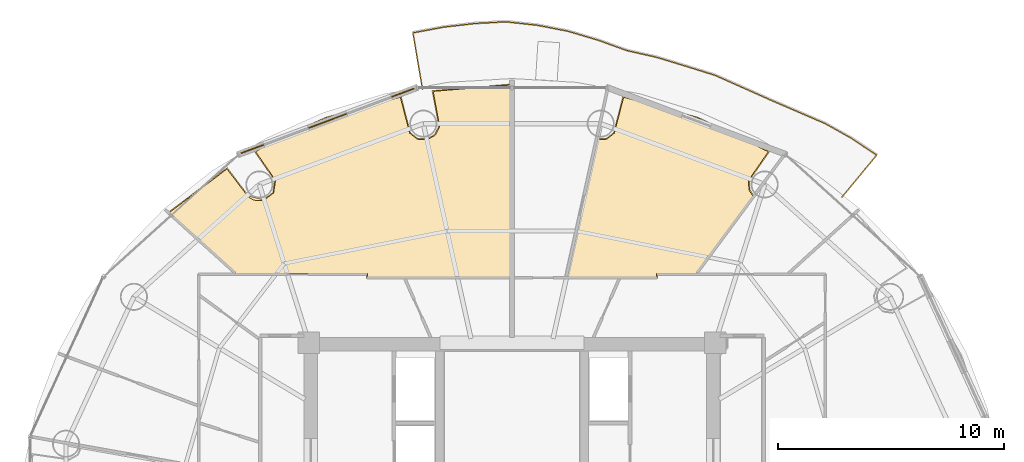
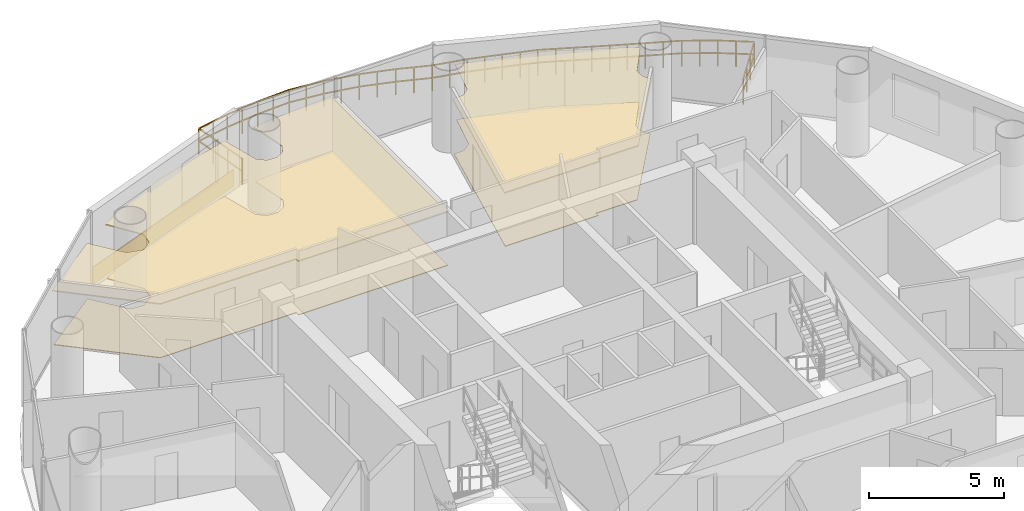
# One storey, part 27 of 27: 5 coverings, 1 railing.
"""IFC4 building model written with IfcOpenShell, lengths in metres."""

from ifc_helpers import new_model, si_unit, direction, frame, origin, origin_2d, place, context, subcontext, project, spatial, polyline, rectangle, outline, extrude, source, transform, mapped, material, layer, layer_set, type_object, element, save


model = new_model("IFC4")

# Units and contexts
model_context = context("Model", 3, precision=1e-05, world=origin(), true_north=direction((-0.2419218956, 0.970295726276)))
body_context = subcontext(model_context, "Body", "Model", "MODEL_VIEW")
ifc_project = project(units=[si_unit("LENGTHUNIT", "METRE"), si_unit("AREAUNIT", "SQUARE_METRE"), si_unit("VOLUMEUNIT", "CUBIC_METRE"), si_unit("PLANEANGLEUNIT", "RADIAN"), si_unit("MASSUNIT", "GRAM", prefix="KILO")], contexts=[model_context])

# Site, building, storey
site_placement = place(None, origin())
site = spatial("IfcSite", under=ifc_project, at=site_placement, CompositionType="ELEMENT")
building_placement = place(site_placement, origin())
building = spatial("IfcBuilding", under=site, at=building_placement, Name="Cobrevalo Terracotta Tower", CompositionType="ELEMENT")
storey_placement = place(building_placement, frame((0.0, 0.0, 198.60009765625)))
storey = spatial("IfcBuildingStorey", under=building, at=storey_placement, Name="L52", CompositionType="ELEMENT", Elevation=198.60009765625)

# Railing
ifc_material_1 = material(Name="Laminated structural glass and stainless steel", Category="steel")
railing_type = type_object("IfcRailingType", Name="Balcony lobe structural glass & terracotta-cap balustrade 1180 mm", PredefinedType="BALUSTRADE", material=ifc_material_1)
railing_placement = place(storey_placement, frame((52.6220703125, 41.244140625, 0.0)))
element("IfcRailing", 1, at=railing_placement, inside=storey, type_object=railing_type, Name="L52 spiralling balcony lobe balustrade 1", PredefinedType="BALUSTRADE", context=body_context, shape_type="SweptSolid", body=[
    extrude(rectangle(XDim=0.048095703125, YDim=0.048095703125, at=origin_2d()), frame((0.0, 0.0, 1.15576171875), z_axis=(0.637333692167, 0.770587934521, 0.0), x_axis=(-0.770587934521, 0.637333692167, 0.0)), (0.0, 0.0, 1.0), 2.412841796875),
    extrude(rectangle(XDim=0.048095703125, YDim=0.048095703125, at=origin_2d()), frame((0.0, 0.0, 0.58984375), z_axis=(0.637333692167, 0.770587934521, 0.0), x_axis=(-0.770587934521, 0.637333692167, 0.0)), (0.0, 0.0, 1.0), 2.412841796875),
    extrude(rectangle(XDim=0.048095703125, YDim=0.048095703125, at=origin_2d()), frame((1.537841796875, 1.859375, 1.15576171875), z_axis=(-0.830815450903, 0.556548009197, 0.0), x_axis=(-0.556548009197, -0.830815450903, 0.0)), (0.0, 0.0, 1.0), 1.340576171875),
    extrude(rectangle(XDim=0.048095703125, YDim=0.048095703125, at=origin_2d()), frame((1.537841796875, 1.859375, 0.58984375), z_axis=(-0.830815450903, 0.556548009197, 0.0), x_axis=(-0.556548009197, -0.830815450903, 0.0)), (0.0, 0.0, 1.0), 1.340576171875),
    extrude(rectangle(XDim=0.048095703125, YDim=0.048095703125, at=origin_2d()), frame((0.424072265625, 2.60546875, 1.15576171875), z_axis=(-0.87194013131, 0.489612507408, 0.0), x_axis=(-0.489612507408, -0.87194013131, 0.0)), (0.0, 0.0, 1.0), 1.34033203125),
    extrude(rectangle(XDim=0.048095703125, YDim=0.048095703125, at=origin_2d()), frame((0.424072265625, 2.60546875, 0.58984375), z_axis=(-0.87194013131, 0.489612507408, 0.0), x_axis=(-0.489612507408, -0.87194013131, 0.0)), (0.0, 0.0, 1.0), 1.34033203125),
    extrude(rectangle(XDim=0.048095703125, YDim=0.048095703125, at=origin_2d()), frame((-0.74462890625, 3.26171875, 1.15576171875), z_axis=(-0.918215087413, 0.396082129422, 0.0), x_axis=(-0.396082129422, -0.918215087413, 0.0)), (0.0, 0.0, 1.0), 1.34814453125),
    extrude(rectangle(XDim=0.048095703125, YDim=0.048095703125, at=origin_2d()), frame((-0.74462890625, 3.26171875, 0.58984375), z_axis=(-0.918215087413, 0.396082129422, 0.0), x_axis=(-0.396082129422, -0.918215087413, 0.0)), (0.0, 0.0, 1.0), 1.34814453125),
    extrude(rectangle(XDim=0.048095703125, YDim=0.048095703125, at=origin_2d()), frame((-1.982421875, 3.795654296875, 1.15576171875), z_axis=(-0.918441329501, 0.395557232602, 0.0), x_axis=(-0.395557232602, -0.918441329501, 0.0)), (0.0, 0.0, 1.0), 1.330810546875),
    extrude(rectangle(XDim=0.048095703125, YDim=0.048095703125, at=origin_2d()), frame((-1.982421875, 3.795654296875, 0.58984375), z_axis=(-0.918441329501, 0.395557232602, 0.0), x_axis=(-0.395557232602, -0.918441329501, 0.0)), (0.0, 0.0, 1.0), 1.330810546875),
    extrude(rectangle(XDim=0.048095703125, YDim=0.048095703125, at=origin_2d()), frame((-3.20458984375, 4.322021484375, 1.15576171875), z_axis=(-0.912864960477, 0.408261636618, 0.0), x_axis=(-0.408261636618, -0.912864960477, 0.0)), (0.0, 0.0, 1.0), 1.3330078125),
    extrude(rectangle(XDim=0.048095703125, YDim=0.048095703125, at=origin_2d()), frame((-3.20458984375, 4.322021484375, 0.58984375), z_axis=(-0.912864960477, 0.408261636618, 0.0), x_axis=(-0.408261636618, -0.912864960477, 0.0)), (0.0, 0.0, 1.0), 1.3330078125),
    extrude(rectangle(XDim=0.048095703125, YDim=0.048095703125, at=origin_2d()), frame((-4.42138671875, 4.8662109375, 1.15576171875), z_axis=(-0.914513167313, 0.40455613555, 0.0), x_axis=(-0.40455613555, -0.914513167313, 0.0)), (0.0, 0.0, 1.0), 1.331787109375),
    extrude(rectangle(XDim=0.048095703125, YDim=0.048095703125, at=origin_2d()), frame((-4.42138671875, 4.8662109375, 0.58984375), z_axis=(-0.914513167313, 0.40455613555, 0.0), x_axis=(-0.40455613555, -0.914513167313, 0.0)), (0.0, 0.0, 1.0), 1.331787109375),
    extrude(rectangle(XDim=0.048095703125, YDim=0.048095703125, at=origin_2d()), frame((-5.639404296875, 5.405029296875, 1.15576171875), z_axis=(-0.95469026063, 0.29760125379, 0.0), x_axis=(-0.29760125379, -0.95469026063, 0.0)), (0.0, 0.0, 1.0), 1.34130859375),
    extrude(rectangle(XDim=0.048095703125, YDim=0.048095703125, at=origin_2d()), frame((-5.639404296875, 5.405029296875, 0.58984375), z_axis=(-0.95469026063, 0.29760125379, 0.0), x_axis=(-0.29760125379, -0.95469026063, 0.0)), (0.0, 0.0, 1.0), 1.34130859375),
    extrude(rectangle(XDim=0.048095703125, YDim=0.048095703125, at=origin_2d()), frame((-6.919921875, 5.80419921875, 1.15576171875), z_axis=(-0.95643771544, 0.29193645967, 0.0), x_axis=(-0.29193645967, -0.95643771544, 0.0)), (0.0, 0.0, 1.0), 1.34130859375),
    extrude(rectangle(XDim=0.048095703125, YDim=0.048095703125, at=origin_2d()), frame((-6.919921875, 5.80419921875, 0.58984375), z_axis=(-0.95643771544, 0.29193645967, 0.0), x_axis=(-0.29193645967, -0.95643771544, 0.0)), (0.0, 0.0, 1.0), 1.34130859375),
    extrude(rectangle(XDim=0.048095703125, YDim=0.048095703125, at=origin_2d()), frame((-8.202880859375, 6.19580078125, 1.15576171875), z_axis=(-0.975520228696, 0.219909716484, 0.0), x_axis=(-0.219909716484, -0.975520228696, 0.0)), (0.0, 0.0, 1.0), 1.344482421875),
    extrude(rectangle(XDim=0.048095703125, YDim=0.048095703125, at=origin_2d()), frame((-8.202880859375, 6.19580078125, 0.58984375), z_axis=(-0.975520228696, 0.219909716484, 0.0), x_axis=(-0.219909716484, -0.975520228696, 0.0)), (0.0, 0.0, 1.0), 1.344482421875),
    extrude(rectangle(XDim=0.048095703125, YDim=0.048095703125, at=origin_2d()), frame((-9.514404296875, 6.491455078125, 1.15576171875), z_axis=(-0.940903258635, 0.338675446247, 0.0), x_axis=(-0.338675446247, -0.940903258635, 0.0)), (0.0, 0.0, 1.0), 1.374755859375),
    extrude(rectangle(XDim=0.048095703125, YDim=0.048095703125, at=origin_2d()), frame((-9.514404296875, 6.491455078125, 0.58984375), z_axis=(-0.940903258635, 0.338675446247, 0.0), x_axis=(-0.338675446247, -0.940903258635, 0.0)), (0.0, 0.0, 1.0), 1.374755859375),
    extrude(rectangle(XDim=0.048095703125, YDim=0.048095703125, at=origin_2d()), frame((-10.807861328125, 6.95703125, 1.15576171875), z_axis=(-0.95837747589, 0.285504139563, 0.0), x_axis=(-0.285504139563, -0.95837747589, 0.0)), (0.0, 0.0, 1.0), 1.38525390625),
    extrude(rectangle(XDim=0.048095703125, YDim=0.048095703125, at=origin_2d()), frame((-10.807861328125, 6.95703125, 0.58984375), z_axis=(-0.95837747589, 0.285504139563, 0.0), x_axis=(-0.285504139563, -0.95837747589, 0.0)), (0.0, 0.0, 1.0), 1.38525390625),
    extrude(rectangle(XDim=0.048095703125, YDim=0.048095703125, at=origin_2d()), frame((-12.135498046875, 7.3525390625, 1.15576171875), z_axis=(-0.981566949028, 0.191118613891, 0.0), x_axis=(-0.191118613891, -0.981566949028, 0.0)), (0.0, 0.0, 1.0), 1.39111328125),
    extrude(rectangle(XDim=0.048095703125, YDim=0.048095703125, at=origin_2d()), frame((-12.135498046875, 7.3525390625, 0.58984375), z_axis=(-0.981566949028, 0.191118613891, 0.0), x_axis=(-0.191118613891, -0.981566949028, 0.0)), (0.0, 0.0, 1.0), 1.39111328125),
    extrude(rectangle(XDim=0.048095703125, YDim=0.048095703125, at=origin_2d()), frame((-13.5009765625, 7.618408203125, 1.15576171875), z_axis=(-0.994034619078, 0.109065008479, 0.0), x_axis=(-0.109065008479, -0.994034619078, 0.0)), (0.0, 0.0, 1.0), 1.392333984375),
    extrude(rectangle(XDim=0.048095703125, YDim=0.048095703125, at=origin_2d()), frame((-13.5009765625, 7.618408203125, 0.58984375), z_axis=(-0.994034619078, 0.109065008479, 0.0), x_axis=(-0.109065008479, -0.994034619078, 0.0)), (0.0, 0.0, 1.0), 1.392333984375),
    extrude(rectangle(XDim=0.048095703125, YDim=0.048095703125, at=origin_2d()), frame((-14.885009765625, 7.770263671875, 1.15576171875), z_axis=(-0.998527660986, -0.054244909853, 0.0), x_axis=(0.054244909853, -0.998527660986, 0.0)), (0.0, 0.0, 1.0), 1.390625),
    extrude(rectangle(XDim=0.048095703125, YDim=0.048095703125, at=origin_2d()), frame((-14.885009765625, 7.770263671875, 0.58984375), z_axis=(-0.998527660986, -0.054244909853, 0.0), x_axis=(0.054244909853, -0.998527660986, 0.0)), (0.0, 0.0, 1.0), 1.390625),
    extrude(rectangle(XDim=0.048095703125, YDim=0.048095703125, at=origin_2d()), frame((-16.273681640625, 7.69482421875, 1.15576171875), z_axis=(-0.993351854088, -0.115117739637, 0.0), x_axis=(0.115117739637, -0.993351854088, 0.0)), (0.0, 0.0, 1.0), 1.38916015625),
    extrude(rectangle(XDim=0.048095703125, YDim=0.048095703125, at=origin_2d()), frame((-16.273681640625, 7.69482421875, 0.58984375), z_axis=(-0.993351854088, -0.115117739637, 0.0), x_axis=(0.115117739637, -0.993351854088, 0.0)), (0.0, 0.0, 1.0), 1.38916015625),
    extrude(rectangle(XDim=0.048095703125, YDim=0.048095703125, at=origin_2d()), frame((-17.653564453125, 7.534912109375, 1.15576171875), z_axis=(-0.982916109028, -0.184054129572, 0.0), x_axis=(0.184054129572, -0.982916109028, 0.0)), (0.0, 0.0, 1.0), 1.383544921875),
    extrude(rectangle(XDim=0.048095703125, YDim=0.048095703125, at=origin_2d()), frame((-17.653564453125, 7.534912109375, 0.58984375), z_axis=(-0.982916109028, -0.184054129572, 0.0), x_axis=(0.184054129572, -0.982916109028, 0.0)), (0.0, 0.0, 1.0), 1.383544921875),
    extrude(rectangle(XDim=0.048095703125, YDim=0.048095703125, at=origin_2d()), frame((-19.013427734375, 7.2802734375, 1.15576171875), z_axis=(0.166408006596, -0.98605698382, 0.0), x_axis=(0.98605698382, 0.166408006596, 0.0)), (0.0, 0.0, 1.0), 2.52197265625),
    extrude(rectangle(XDim=0.048095703125, YDim=0.048095703125, at=origin_2d()), frame((-19.013427734375, 7.2802734375, 0.58984375), z_axis=(0.166408006596, -0.98605698382, 0.0), x_axis=(0.98605698382, 0.166408006596, 0.0)), (0.0, 0.0, 1.0), 2.52197265625),
    extrude(rectangle(XDim=0.0419921875, YDim=0.0419921875, at=origin_2d()), origin(), (0.0, 0.0, 1.0), 1.1318359375),
    extrude(rectangle(XDim=0.0419921875, YDim=0.0419921875, at=origin_2d()), frame((0.5126953125, 0.619873046875, 0.0)), (0.0, 0.0, 1.0), 1.1318359375),
    extrude(rectangle(XDim=0.0419921875, YDim=0.0419921875, at=origin_2d()), frame((1.025146484375, 1.239501953125, 0.0)), (0.0, 0.0, 1.0), 1.1318359375),
    extrude(rectangle(XDim=0.0419921875, YDim=0.0419921875, at=origin_2d()), frame((1.537841796875, 1.859375, 0.0)), (0.0, 0.0, 1.0), 1.1318359375),
    extrude(rectangle(XDim=0.0419921875, YDim=0.0419921875, at=origin_2d()), frame((0.98095703125, 2.232421875, 0.0)), (0.0, 0.0, 1.0), 1.1318359375),
    extrude(rectangle(XDim=0.0419921875, YDim=0.0419921875, at=origin_2d()), frame((0.424072265625, 2.60546875, 0.0)), (0.0, 0.0, 1.0), 1.1318359375),
    extrude(rectangle(XDim=0.0419921875, YDim=0.0419921875, at=origin_2d()), frame((-0.16015625, 2.93359375, 0.0)), (0.0, 0.0, 1.0), 1.1318359375),
    extrude(rectangle(XDim=0.0419921875, YDim=0.0419921875, at=origin_2d()), frame((-0.74462890625, 3.26171875, 0.0)), (0.0, 0.0, 1.0), 1.1318359375),
    extrude(rectangle(XDim=0.0419921875, YDim=0.0419921875, at=origin_2d()), frame((-1.363525390625, 3.52880859375, 0.0)), (0.0, 0.0, 1.0), 1.1318359375),
    extrude(rectangle(XDim=0.0419921875, YDim=0.0419921875, at=origin_2d()), frame((-1.982421875, 3.795654296875, 0.0)), (0.0, 0.0, 1.0), 1.1318359375),
    extrude(rectangle(XDim=0.0419921875, YDim=0.0419921875, at=origin_2d()), frame((-2.593505859375, 4.058837890625, 0.0)), (0.0, 0.0, 1.0), 1.1318359375),
    extrude(rectangle(XDim=0.0419921875, YDim=0.0419921875, at=origin_2d()), frame((-3.20458984375, 4.322021484375, 0.0)), (0.0, 0.0, 1.0), 1.1318359375),
    extrude(rectangle(XDim=0.0419921875, YDim=0.0419921875, at=origin_2d()), frame((-3.81298828125, 4.59423828125, 0.0)), (0.0, 0.0, 1.0), 1.1318359375),
    extrude(rectangle(XDim=0.0419921875, YDim=0.0419921875, at=origin_2d()), frame((-4.42138671875, 4.8662109375, 0.0)), (0.0, 0.0, 1.0), 1.1318359375),
    extrude(rectangle(XDim=0.0419921875, YDim=0.0419921875, at=origin_2d()), frame((-5.0302734375, 5.1357421875, 0.0)), (0.0, 0.0, 1.0), 1.1318359375),
    extrude(rectangle(XDim=0.0419921875, YDim=0.0419921875, at=origin_2d()), frame((-5.639404296875, 5.405029296875, 0.0)), (0.0, 0.0, 1.0), 1.1318359375),
    extrude(rectangle(XDim=0.0419921875, YDim=0.0419921875, at=origin_2d()), frame((-6.27978515625, 5.6044921875, 0.0)), (0.0, 0.0, 1.0), 1.1318359375),
    extrude(rectangle(XDim=0.0419921875, YDim=0.0419921875, at=origin_2d()), frame((-6.919921875, 5.80419921875, 0.0)), (0.0, 0.0, 1.0), 1.1318359375),
    extrude(rectangle(XDim=0.0419921875, YDim=0.0419921875, at=origin_2d()), frame((-7.5615234375, 6.0, 0.0)), (0.0, 0.0, 1.0), 1.1318359375),
    extrude(rectangle(XDim=0.0419921875, YDim=0.0419921875, at=origin_2d()), frame((-8.202880859375, 6.19580078125, 0.0)), (0.0, 0.0, 1.0), 1.1318359375),
    extrude(rectangle(XDim=0.0419921875, YDim=0.0419921875, at=origin_2d()), frame((-8.858642578125, 6.34375, 0.0)), (0.0, 0.0, 1.0), 1.1318359375),
    extrude(rectangle(XDim=0.0419921875, YDim=0.0419921875, at=origin_2d()), frame((-9.514404296875, 6.491455078125, 0.0)), (0.0, 0.0, 1.0), 1.1318359375),
    extrude(rectangle(XDim=0.0419921875, YDim=0.0419921875, at=origin_2d()), frame((-10.1611328125, 6.72412109375, 0.0)), (0.0, 0.0, 1.0), 1.1318359375),
    extrude(rectangle(XDim=0.0419921875, YDim=0.0419921875, at=origin_2d()), frame((-10.807861328125, 6.95703125, 0.0)), (0.0, 0.0, 1.0), 1.1318359375),
    extrude(rectangle(XDim=0.0419921875, YDim=0.0419921875, at=origin_2d()), frame((-11.4716796875, 7.15478515625, 0.0)), (0.0, 0.0, 1.0), 1.1318359375),
    extrude(rectangle(XDim=0.0419921875, YDim=0.0419921875, at=origin_2d()), frame((-12.135498046875, 7.3525390625, 0.0)), (0.0, 0.0, 1.0), 1.1318359375),
    extrude(rectangle(XDim=0.0419921875, YDim=0.0419921875, at=origin_2d()), frame((-12.818359375, 7.4853515625, 0.0)), (0.0, 0.0, 1.0), 1.1318359375),
    extrude(rectangle(XDim=0.0419921875, YDim=0.0419921875, at=origin_2d()), frame((-13.5009765625, 7.618408203125, 0.0)), (0.0, 0.0, 1.0), 1.1318359375),
    extrude(rectangle(XDim=0.0419921875, YDim=0.0419921875, at=origin_2d()), frame((-14.19287109375, 7.6943359375, 0.0)), (0.0, 0.0, 1.0), 1.1318359375),
    extrude(rectangle(XDim=0.0419921875, YDim=0.0419921875, at=origin_2d()), frame((-14.885009765625, 7.770263671875, 0.0)), (0.0, 0.0, 1.0), 1.1318359375),
    extrude(rectangle(XDim=0.0419921875, YDim=0.0419921875, at=origin_2d()), frame((-15.579345703125, 7.732421875, 0.0)), (0.0, 0.0, 1.0), 1.1318359375),
    extrude(rectangle(XDim=0.0419921875, YDim=0.0419921875, at=origin_2d()), frame((-16.273681640625, 7.69482421875, 0.0)), (0.0, 0.0, 1.0), 1.1318359375),
    extrude(rectangle(XDim=0.0419921875, YDim=0.0419921875, at=origin_2d()), frame((-16.963623046875, 7.61474609375, 0.0)), (0.0, 0.0, 1.0), 1.1318359375),
    extrude(rectangle(XDim=0.0419921875, YDim=0.0419921875, at=origin_2d()), frame((-17.653564453125, 7.534912109375, 0.0)), (0.0, 0.0, 1.0), 1.1318359375),
    extrude(rectangle(XDim=0.0419921875, YDim=0.0419921875, at=origin_2d()), frame((-18.33349609375, 7.40771484375, 0.0)), (0.0, 0.0, 1.0), 1.1318359375),
    extrude(rectangle(XDim=0.0419921875, YDim=0.0419921875, at=origin_2d()), frame((-19.013427734375, 7.2802734375, 0.0)), (0.0, 0.0, 1.0), 1.1318359375),
    extrude(rectangle(XDim=0.0419921875, YDim=0.0419921875, at=origin_2d()), frame((-18.87353515625, 6.451416015625, 0.0)), (0.0, 0.0, 1.0), 1.1318359375),
    extrude(rectangle(XDim=0.0419921875, YDim=0.0419921875, at=origin_2d()), frame((-18.733642578125, 5.622314453125, 0.0)), (0.0, 0.0, 1.0), 1.1318359375),
    extrude(rectangle(XDim=0.0419921875, YDim=0.0419921875, at=origin_2d()), frame((-18.59375, 4.79345703125, 0.0)), (0.0, 0.0, 1.0), 1.1318359375),
])

# Coverings
ifc_material_2 = material(Name="Engineered Brazilian hardwood flooring", Category="wood")
ifc_layer_1 = layer(ifc_material_2, 0.028076171875)
ifc_layer_set_1 = layer_set([ifc_layer_1], Name="Engineered Brazilian hardwood flooring")
covering_type_1 = type_object("IfcCoveringType", Name="Engineered Hardwood Suite Flooring 28", PredefinedType="FLOORING", material=ifc_layer_set_1)
covering_1_placement = place(storey_placement, origin())
element("IfcCovering", 2, at=covering_1_placement, inside=storey, type_object=covering_type_1, Name="Flat L52A Principal Guest Bedroom floor finish", PredefinedType="FLOORING", context=body_context, shape_type="SweptSolid", body=[
    extrude(outline(polyline([(46.236083984375, 44.741455078125), (49.3544921875, 43.259765625), (48.477294921875, 41.98974609375), (48.497314453125, 41.560546875), (48.681396484375, 41.279541015625), (46.149169921875, 37.85498046875), (44.39501953125, 37.85498046875), (44.39501953125, 37.695068359375), (40.418701171875, 37.695068359375), (41.759765625, 43.78759765625), (42.198974609375, 43.813232421875), (42.537109375, 44.078369140625), (42.9482421875, 45.669921875), (46.236083984375, 44.741455078125)])), origin(), (0.0, 0.0, 1.0), 0.02978515625),
])
covering_2_placement = place(storey_placement, origin())
element("IfcCovering", 3, at=covering_2_placement, inside=storey, type_object=covering_type_1, Name="Flat L52B Penthouse Living and Dining Room floor finish", PredefinedType="FLOORING", context=body_context, shape_type="SweptSolid", body=[
    extrude(outline(polyline([(25.3720703125, 42.49169921875), (26.309814453125, 41.25830078125), (26.557861328125, 41.110595703125), (26.987060546875, 41.090576171875), (27.441162109375, 41.42919921875), (27.522705078125, 41.98974609375), (26.6455078125, 43.259765625), (27.2392578125, 43.61767578125), (29.763916015625, 44.741455078125), (33.0517578125, 45.669921875), (33.462890625, 44.078369140625), (33.801025390625, 43.813232421875), (34.229248046875, 43.78076171875), (34.603759765625, 43.991455078125), (34.7978515625, 44.375), (34.509765625, 45.931640625), (37.97998046875, 46.21875), (37.97998046875, 37.695068359375), (31.60498046875, 37.695068359375), (31.60498046875, 37.85498046875), (25.79638671875, 37.85498046875), (22.810302734375, 40.553466796875), (25.3720703125, 42.49169921875)])), origin(), (0.0, 0.0, 1.0), 0.02978515625),
])
ifc_material_3 = material(Name="Acoustic perforated gypsum ceiling", Category="gypsum")
ifc_layer_2 = layer(ifc_material_3, 0.050048828125)
ifc_layer_set_2 = layer_set([ifc_layer_2], Name="Acoustic perforated gypsum ceiling")
covering_type_2 = type_object("IfcCoveringType", Name="Perforated Acoustic Gypsum Ceiling 50", PredefinedType="CEILING", material=ifc_layer_set_2)
covering_3_placement = place(storey_placement, frame((0.0, 0.0, 2.44482421875)))
element("IfcCovering", 4, at=covering_3_placement, inside=storey, type_object=covering_type_2, Name="Flat L52A Principal Guest Bedroom acoustic ceiling", PredefinedType="CEILING", context=body_context, shape_type="SweptSolid", body=[
    extrude(outline(polyline([(46.251708984375, 44.78369140625), (49.420166015625, 43.272705078125), (48.521240234375, 41.978759765625), (48.539794921875, 41.57568359375), (48.74169921875, 41.285400390625), (46.171875, 37.81005859375), (44.43994140625, 37.81005859375), (44.43994140625, 37.64990234375), (40.362548828125, 37.64990234375), (41.724853515625, 43.838623046875), (42.1826171875, 43.85546875), (42.500244140625, 44.1044921875), (42.91357421875, 45.7216796875), (46.251708984375, 44.78369140625)])), origin(), (0.0, 0.0, 1.0), 0.050048828125),
])
covering_4_placement = place(storey_placement, frame((0.0, 0.0, 2.44482421875)))
element("IfcCovering", 5, at=covering_4_placement, inside=storey, type_object=covering_type_2, Name="Flat L52B Penthouse Living and Dining Room acoustic ceiling", PredefinedType="CEILING", context=body_context, shape_type="SweptSolid", body=[
    extrude(outline(polyline([(25.3837890625, 42.55126953125), (26.340087890625, 41.2919921875), (26.975830078125, 41.134521484375), (27.40234375, 41.452392578125), (27.478759765625, 41.978759765625), (26.579833984375, 43.272705078125), (27.218505859375, 43.65771484375), (29.748291015625, 44.78369140625), (33.08642578125, 45.7216796875), (33.499755859375, 44.1044921875), (33.8173828125, 43.85546875), (34.219482421875, 43.82470703125), (34.571044921875, 44.02294921875), (34.753173828125, 44.3828125), (34.455810546875, 45.967529296875), (38.02490234375, 46.2666015625), (38.02490234375, 37.64990234375), (31.56005859375, 37.64990234375), (31.56005859375, 37.81005859375), (25.779052734375, 37.81005859375), (22.74072265625, 40.5556640625), (25.3837890625, 42.55126953125)])), origin(), (0.0, 0.0, 1.0), 0.050048828125),
])
ifc_material_4 = material(Name="Glazed terracotta facade cladding tile", Category="masonry")
ifc_layer_3 = layer(ifc_material_4, 0.044921875)
ifc_layer_set_3 = layer_set([ifc_layer_3], Name="Glazed terracotta facade cladding tile")
covering_type_3 = type_object("IfcCoveringType", Name="Architectural terracotta rainscreen spandrel cladding 45 mm", PredefinedType="CLADDING", material=ifc_layer_set_3)
shared_shape = source(origin(), body_context, "Body", "SweptSolid", [
    extrude(rectangle(XDim=8.17919921875, YDim=0.044921875, at=origin_2d()), origin(), (0.0, 0.0, 1.0), 0.760009765625),
])
covering_5_placement = place(storey_placement, frame((29.8291015625, 44.62353515625, 0.0400390625), z_axis=(0.0, 0.0, 1.0), x_axis=(-0.936557839879, -0.350513070458, 0.0)))
element("IfcCovering", 6, at=covering_5_placement, inside=storey, type_object=covering_type_3, Name="L52 terracotta spandrel cladding S05", PredefinedType="CLADDING", context=body_context, shape_type="MappedRepresentation", body=[
    mapped(shared_shape, transform((0.0, 0.0, 0.0), scale=1.0)),
])

save(model, "model.ifc")
